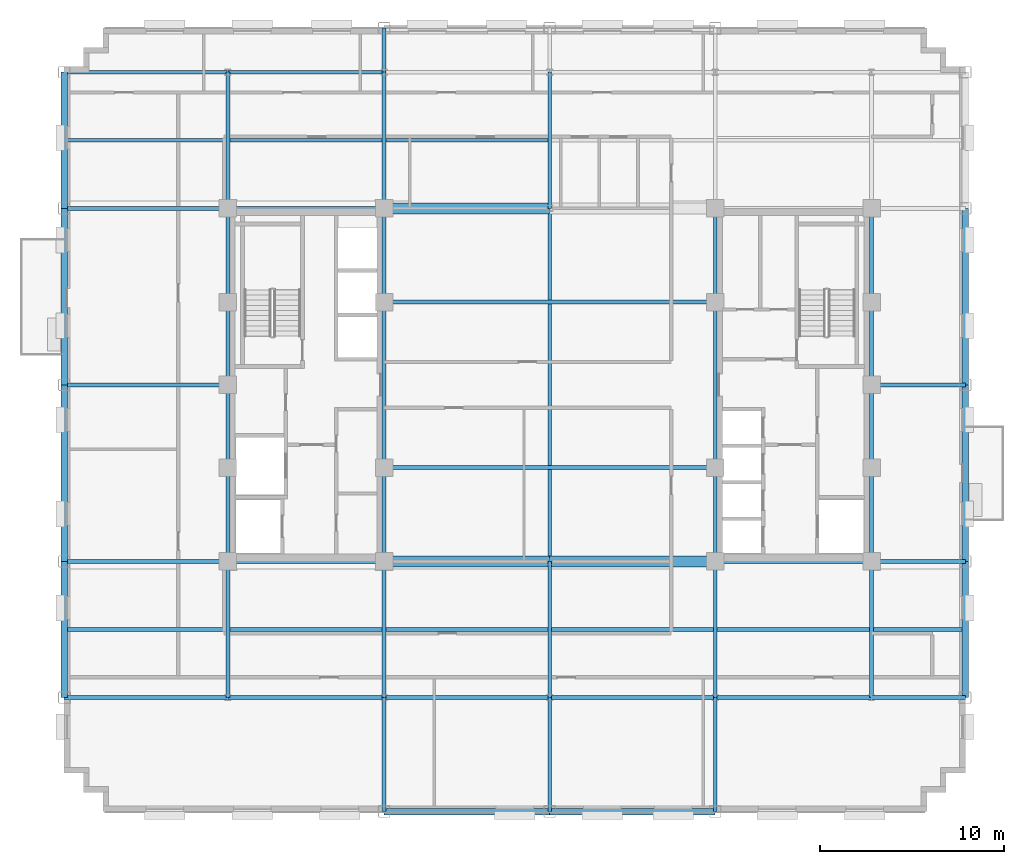
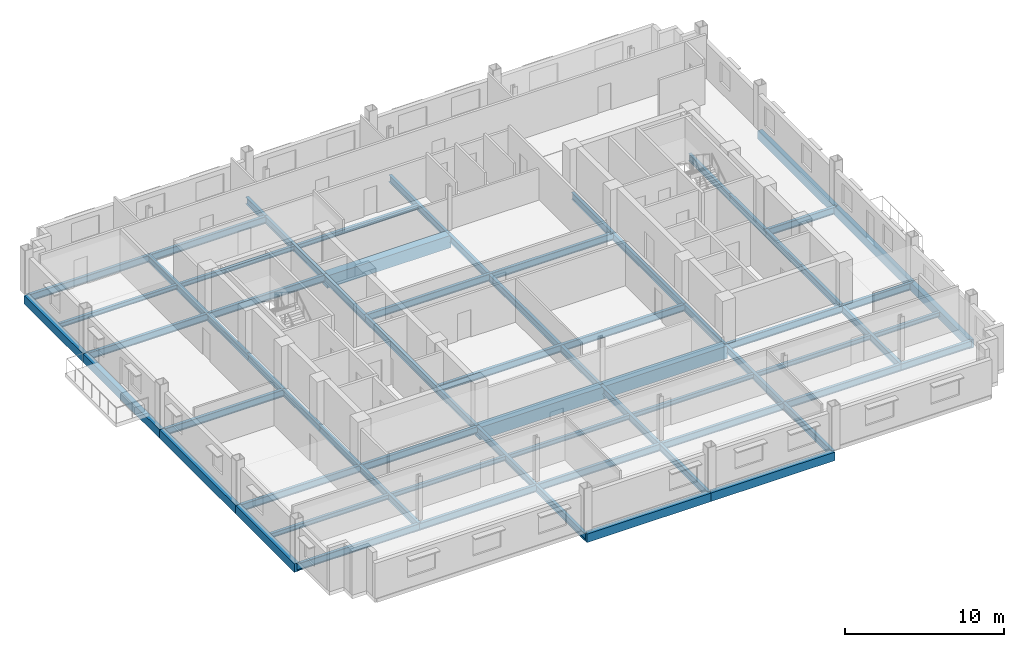
# One storey, part 5 of 14: 66 beams.
"""IFC4 building model written with IfcOpenShell, lengths in metres."""

from ifc_helpers import new_model, si_unit, direction, frame, origin, origin_2d, place, context, subcontext, project, spatial, rectangle, i_section, extrude, material, material_profile, profile_set, type_object, element, save


model = new_model("IFC4")

# Units and contexts
model_context = context("Model", 3, precision=1e-05, world=origin(), true_north=direction((0.0, 1.0)))
body_context = subcontext(model_context, "Body", "Model", "MODEL_VIEW")
ifc_project = project(units=[si_unit("LENGTHUNIT", "METRE"), si_unit("AREAUNIT", "SQUARE_METRE"), si_unit("VOLUMEUNIT", "CUBIC_METRE"), si_unit("PLANEANGLEUNIT", "RADIAN"), si_unit("MASSUNIT", "GRAM", prefix="KILO")], contexts=[model_context])

# Site, building, storey
site_placement = place(None, origin())
site = spatial("IfcSite", under=ifc_project, at=site_placement, CompositionType="ELEMENT")
building_placement = place(site_placement, origin())
building = spatial("IfcBuilding", under=site, at=building_placement, Name="Nuvemarco Arch Tower", CompositionType="ELEMENT")
storey_placement = place(building_placement, frame((0.0, 0.0, 171.300048828125)))
storey = spatial("IfcBuildingStorey", under=building, at=storey_placement, Name="L45", CompositionType="ELEMENT", Elevation=171.300048828125)

# Beams
ifc_material_1 = material(Name="Concrete C60/75", Category="concrete")
ifc_material_profile_1 = material_profile(ifc_material_1, rectangle(XDim=0.60009765625, YDim=0.949951171875, at=origin_2d()), Name="RC-BM-600x950")
ifc_profile_set_1 = profile_set([ifc_material_profile_1], Name="Concrete C60/75")
beam_type_1 = type_object("IfcBeamType", Name="BM-COUP-RC", PredefinedType="LINTEL", material=ifc_profile_set_1)
for number, where, z_axis, x_axis, name in (
    (1, (-9.0, -9.60009765625, -0.755126953125), (1.0, 0.0, 0.0), (0.0, 1.0, 0.0), "L45 structural beam BGEW_L45_0_-9.6_-9.0"),
    (2, (0.0, -9.60009765625, -0.755126953125), (1.0, 0.0, 0.0), (0.0, 1.0, 0.0), "L45 structural beam BGEW_L45_0_-9.6_+0.0"),
    (3, (-9.0, 9.60009765625, -0.755126953125), (1.0, 0.0, 0.0), (0.0, 1.0, 0.0), "L45 structural beam BGEW_L45_0_+9.6_-9.0"),
):
    element("IfcBeam", number, at=place(storey_placement, frame(where, z_axis=z_axis, x_axis=x_axis)), inside=storey, type_object=beam_type_1, Name=name, PredefinedType="LINTEL", context=body_context, shape_type="SweptSolid", body=[
        extrude(rectangle(XDim=0.60009765625, YDim=0.949951171875, at=origin_2d()), origin(), (0.0, 0.0, 1.0), 9.0),
    ])
ifc_material_2 = material(Name="Steel S355", Category="steel")
ifc_material_profile_2 = material_profile(ifc_material_2, i_section(OverallWidth=0.2109375, OverallDepth=0.5390625, WebThickness=0.01171875, FlangeThickness=0.018798828125, FilletRadius=0.01611328125, at=origin_2d()), Name="W530x109")
ifc_profile_set_2 = profile_set([ifc_material_profile_2], Name="Steel S355")
beam_type_2 = type_object("IfcBeamType", Name="BM-GIRD-530", PredefinedType="BEAM", material=ifc_profile_set_2)
beam_1_placement = place(storey_placement, frame((-17.5, -17.0, -0.549560546875), z_axis=(0.0, 1.0, 0.0), x_axis=(-1.0, 0.0, 0.0)))
element("IfcBeam", 4, at=beam_1_placement, inside=storey, type_object=beam_type_2, Name="L45 structural beam BGNS_L45_0_-17.5_-17.0", PredefinedType="BEAM", context=body_context, shape_type="SweptSolid", body=[
    extrude(i_section(OverallWidth=0.2109375, OverallDepth=0.5390625, WebThickness=0.01171875, FlangeThickness=0.018798828125, FilletRadius=0.01611328125, at=origin_2d()), origin(), (0.0, 0.0, 1.0), 7.39990234375),
])
beam_2_placement = place(storey_placement, frame((-17.5, -9.60009765625, -0.549560546875), z_axis=(0.0, 1.0, 0.0), x_axis=(-1.0, 0.0, 0.0)))
element("IfcBeam", 5, at=beam_2_placement, inside=storey, type_object=beam_type_2, Name="L45 structural beam BGNS_L45_0_-17.5_-9.6", PredefinedType="BEAM", context=body_context, shape_type="SweptSolid", body=[
    extrude(i_section(OverallWidth=0.2109375, OverallDepth=0.5390625, WebThickness=0.01171875, FlangeThickness=0.018798828125, FilletRadius=0.01611328125, at=origin_2d()), origin(), (0.0, 0.0, 1.0), 5.10009765625),
])
for number, where, z_axis, x_axis, name in (
    (6, (-17.5, -4.5, -0.549560546875), (0.0, 1.0, 0.0), (-1.0, 0.0, 0.0), "L45 structural beam BGNS_L45_0_-17.5_-4.5"),
    (7, (-17.5, 0.0, -0.549560546875), (0.0, 1.0, 0.0), (-1.0, 0.0, 0.0), "L45 structural beam BGNS_L45_0_-17.5_+0.0"),
):
    element("IfcBeam", number, at=place(storey_placement, frame(where, z_axis=z_axis, x_axis=x_axis)), inside=storey, type_object=beam_type_2, Name=name, PredefinedType="BEAM", context=body_context, shape_type="SweptSolid", body=[
        extrude(i_section(OverallWidth=0.2109375, OverallDepth=0.5390625, WebThickness=0.01171875, FlangeThickness=0.018798828125, FilletRadius=0.01611328125, at=origin_2d()), origin(), (0.0, 0.0, 1.0), 4.5),
    ])
beam_3_placement = place(storey_placement, frame((-17.5, 4.5, -0.549560546875), z_axis=(0.0, 1.0, 0.0), x_axis=(-1.0, 0.0, 0.0)))
element("IfcBeam", 8, at=beam_3_placement, inside=storey, type_object=beam_type_2, Name="L45 structural beam BGNS_L45_0_-17.5_+4.5", PredefinedType="BEAM", context=body_context, shape_type="SweptSolid", body=[
    extrude(i_section(OverallWidth=0.2109375, OverallDepth=0.5390625, WebThickness=0.01171875, FlangeThickness=0.018798828125, FilletRadius=0.01611328125, at=origin_2d()), origin(), (0.0, 0.0, 1.0), 5.10009765625),
])
beam_4_placement = place(storey_placement, frame((-17.5, 9.60009765625, -0.549560546875), z_axis=(0.0, 1.0, 0.0), x_axis=(-1.0, 0.0, 0.0)))
element("IfcBeam", 9, at=beam_4_placement, inside=storey, type_object=beam_type_2, Name="L45 structural beam BGNS_L45_0_-17.5_+9.6", PredefinedType="BEAM", context=body_context, shape_type="SweptSolid", body=[
    extrude(i_section(OverallWidth=0.2109375, OverallDepth=0.5390625, WebThickness=0.01171875, FlangeThickness=0.018798828125, FilletRadius=0.01611328125, at=origin_2d()), origin(), (0.0, 0.0, 1.0), 7.39990234375),
])
beam_5_placement = place(storey_placement, frame((-9.0, -23.199951171875, -0.549560546875), z_axis=(0.0, 1.0, 0.0), x_axis=(-1.0, 0.0, 0.0)))
element("IfcBeam", 10, at=beam_5_placement, inside=storey, type_object=beam_type_2, Name="L45 structural beam BGNS_L45_0_-9.0_-23.2", PredefinedType="BEAM", context=body_context, shape_type="SweptSolid", body=[
    extrude(i_section(OverallWidth=0.2109375, OverallDepth=0.5390625, WebThickness=0.01171875, FlangeThickness=0.018798828125, FilletRadius=0.01611328125, at=origin_2d()), origin(), (0.0, 0.0, 1.0), 6.199951171875),
])
beam_6_placement = place(storey_placement, frame((-9.0, -17.0, -0.549560546875), z_axis=(0.0, 1.0, 0.0), x_axis=(-1.0, 0.0, 0.0)))
element("IfcBeam", 11, at=beam_6_placement, inside=storey, type_object=beam_type_2, Name="L45 structural beam BGNS_L45_0_-9.0_-17.0", PredefinedType="BEAM", context=body_context, shape_type="SweptSolid", body=[
    extrude(i_section(OverallWidth=0.2109375, OverallDepth=0.5390625, WebThickness=0.01171875, FlangeThickness=0.018798828125, FilletRadius=0.01611328125, at=origin_2d()), origin(), (0.0, 0.0, 1.0), 7.39990234375),
])
beam_7_placement = place(storey_placement, frame((-9.0, -9.60009765625, -0.549560546875), z_axis=(0.0, 1.0, 0.0), x_axis=(-1.0, 0.0, 0.0)))
element("IfcBeam", 12, at=beam_7_placement, inside=storey, type_object=beam_type_2, Name="L45 structural beam BGNS_L45_0_-9.0_-9.6", PredefinedType="BEAM", context=body_context, shape_type="SweptSolid", body=[
    extrude(i_section(OverallWidth=0.2109375, OverallDepth=0.5390625, WebThickness=0.01171875, FlangeThickness=0.018798828125, FilletRadius=0.01611328125, at=origin_2d()), origin(), (0.0, 0.0, 1.0), 5.10009765625),
])
beam_8_placement = place(storey_placement, frame((-9.0, -4.5, -0.549560546875), z_axis=(0.0, 1.0, 0.0), x_axis=(-1.0, 0.0, 0.0)))
element("IfcBeam", 13, at=beam_8_placement, inside=storey, type_object=beam_type_2, Name="L45 structural beam BGNS_L45_0_-9.0_-4.5", PredefinedType="BEAM", context=body_context, shape_type="SweptSolid", body=[
    extrude(i_section(OverallWidth=0.2109375, OverallDepth=0.5390625, WebThickness=0.01171875, FlangeThickness=0.018798828125, FilletRadius=0.01611328125, at=origin_2d()), origin(), (0.0, 0.0, 1.0), 9.0),
])
beam_9_placement = place(storey_placement, frame((-9.0, 4.5, -0.549560546875), z_axis=(0.0, 1.0, 0.0), x_axis=(-1.0, 0.0, 0.0)))
element("IfcBeam", 14, at=beam_9_placement, inside=storey, type_object=beam_type_2, Name="L45 structural beam BGNS_L45_0_-9.0_+4.5", PredefinedType="BEAM", context=body_context, shape_type="SweptSolid", body=[
    extrude(i_section(OverallWidth=0.2109375, OverallDepth=0.5390625, WebThickness=0.01171875, FlangeThickness=0.018798828125, FilletRadius=0.01611328125, at=origin_2d()), origin(), (0.0, 0.0, 1.0), 5.10009765625),
])
beam_10_placement = place(storey_placement, frame((-9.0, 9.60009765625, -0.549560546875), z_axis=(0.0, 1.0, 0.0), x_axis=(-1.0, 0.0, 0.0)))
element("IfcBeam", 15, at=beam_10_placement, inside=storey, type_object=beam_type_2, Name="L45 structural beam BGNS_L45_0_-9.0_+9.6", PredefinedType="BEAM", context=body_context, shape_type="SweptSolid", body=[
    extrude(i_section(OverallWidth=0.2109375, OverallDepth=0.5390625, WebThickness=0.01171875, FlangeThickness=0.018798828125, FilletRadius=0.01611328125, at=origin_2d()), origin(), (0.0, 0.0, 1.0), 7.39990234375),
])
beam_11_placement = place(storey_placement, frame((-9.0, 17.0, -0.549560546875), z_axis=(0.0, 1.0, 0.0), x_axis=(-1.0, 0.0, 0.0)))
element("IfcBeam", 16, at=beam_11_placement, inside=storey, type_object=beam_type_2, Name="L45 structural beam BGNS_L45_0_-9.0_+17.0", PredefinedType="BEAM", context=body_context, shape_type="SweptSolid", body=[
    extrude(i_section(OverallWidth=0.2109375, OverallDepth=0.5390625, WebThickness=0.01171875, FlangeThickness=0.018798828125, FilletRadius=0.01611328125, at=origin_2d()), origin(), (0.0, 0.0, 1.0), 2.39990234375),
])
beam_12_placement = place(storey_placement, frame((0.0, -23.199951171875, -0.549560546875), z_axis=(0.0, 1.0, 0.0), x_axis=(-1.0, 0.0, 0.0)))
element("IfcBeam", 17, at=beam_12_placement, inside=storey, type_object=beam_type_2, Name="L45 structural beam BGNS_L45_0_+0.0_-23.2", PredefinedType="BEAM", context=body_context, shape_type="SweptSolid", body=[
    extrude(i_section(OverallWidth=0.2109375, OverallDepth=0.5390625, WebThickness=0.01171875, FlangeThickness=0.018798828125, FilletRadius=0.01611328125, at=origin_2d()), origin(), (0.0, 0.0, 1.0), 6.199951171875),
])
beam_13_placement = place(storey_placement, frame((0.0, -17.0, -0.549560546875), z_axis=(0.0, 1.0, 0.0), x_axis=(-1.0, 0.0, 0.0)))
element("IfcBeam", 18, at=beam_13_placement, inside=storey, type_object=beam_type_2, Name="L45 structural beam BGNS_L45_0_+0.0_-17.0", PredefinedType="BEAM", context=body_context, shape_type="SweptSolid", body=[
    extrude(i_section(OverallWidth=0.2109375, OverallDepth=0.5390625, WebThickness=0.01171875, FlangeThickness=0.018798828125, FilletRadius=0.01611328125, at=origin_2d()), origin(), (0.0, 0.0, 1.0), 7.39990234375),
])
beam_14_placement = place(storey_placement, frame((0.0, -9.60009765625, -0.549560546875), z_axis=(0.0, 1.0, 0.0), x_axis=(-1.0, 0.0, 0.0)))
element("IfcBeam", 19, at=beam_14_placement, inside=storey, type_object=beam_type_2, Name="L45 structural beam BGNS_L45_0_+0.0_-9.6", PredefinedType="BEAM", context=body_context, shape_type="SweptSolid", body=[
    extrude(i_section(OverallWidth=0.2109375, OverallDepth=0.5390625, WebThickness=0.01171875, FlangeThickness=0.018798828125, FilletRadius=0.01611328125, at=origin_2d()), origin(), (0.0, 0.0, 1.0), 19.2001953125),
])
beam_15_placement = place(storey_placement, frame((0.0, 9.60009765625, -0.549560546875), z_axis=(0.0, 1.0, 0.0), x_axis=(-1.0, 0.0, 0.0)))
element("IfcBeam", 20, at=beam_15_placement, inside=storey, type_object=beam_type_2, Name="L45 structural beam BGNS_L45_0_+0.0_+9.6", PredefinedType="BEAM", context=body_context, shape_type="SweptSolid", body=[
    extrude(i_section(OverallWidth=0.2109375, OverallDepth=0.5390625, WebThickness=0.01171875, FlangeThickness=0.018798828125, FilletRadius=0.01611328125, at=origin_2d()), origin(), (0.0, 0.0, 1.0), 7.39990234375),
])
beam_16_placement = place(storey_placement, frame((9.0, -23.199951171875, -0.549560546875), z_axis=(0.0, 1.0, 0.0), x_axis=(-1.0, 0.0, 0.0)))
element("IfcBeam", 21, at=beam_16_placement, inside=storey, type_object=beam_type_2, Name="L45 structural beam BGNS_L45_0_+9.0_-23.2", PredefinedType="BEAM", context=body_context, shape_type="SweptSolid", body=[
    extrude(i_section(OverallWidth=0.2109375, OverallDepth=0.5390625, WebThickness=0.01171875, FlangeThickness=0.018798828125, FilletRadius=0.01611328125, at=origin_2d()), origin(), (0.0, 0.0, 1.0), 6.199951171875),
])
beam_17_placement = place(storey_placement, frame((9.0, -17.0, -0.549560546875), z_axis=(0.0, 1.0, 0.0), x_axis=(-1.0, 0.0, 0.0)))
element("IfcBeam", 22, at=beam_17_placement, inside=storey, type_object=beam_type_2, Name="L45 structural beam BGNS_L45_0_+9.0_-17.0", PredefinedType="BEAM", context=body_context, shape_type="SweptSolid", body=[
    extrude(i_section(OverallWidth=0.2109375, OverallDepth=0.5390625, WebThickness=0.01171875, FlangeThickness=0.018798828125, FilletRadius=0.01611328125, at=origin_2d()), origin(), (0.0, 0.0, 1.0), 7.39990234375),
])
beam_18_placement = place(storey_placement, frame((9.0, -9.60009765625, -0.549560546875), z_axis=(0.0, 1.0, 0.0), x_axis=(-1.0, 0.0, 0.0)))
element("IfcBeam", 23, at=beam_18_placement, inside=storey, type_object=beam_type_2, Name="L45 structural beam BGNS_L45_0_+9.0_-9.6", PredefinedType="BEAM", context=body_context, shape_type="SweptSolid", body=[
    extrude(i_section(OverallWidth=0.2109375, OverallDepth=0.5390625, WebThickness=0.01171875, FlangeThickness=0.018798828125, FilletRadius=0.01611328125, at=origin_2d()), origin(), (0.0, 0.0, 1.0), 5.10009765625),
])
beam_19_placement = place(storey_placement, frame((9.0, -4.5, -0.549560546875), z_axis=(0.0, 1.0, 0.0), x_axis=(-1.0, 0.0, 0.0)))
element("IfcBeam", 24, at=beam_19_placement, inside=storey, type_object=beam_type_2, Name="L45 structural beam BGNS_L45_0_+9.0_-4.5", PredefinedType="BEAM", context=body_context, shape_type="SweptSolid", body=[
    extrude(i_section(OverallWidth=0.2109375, OverallDepth=0.5390625, WebThickness=0.01171875, FlangeThickness=0.018798828125, FilletRadius=0.01611328125, at=origin_2d()), origin(), (0.0, 0.0, 1.0), 9.0),
])
beam_20_placement = place(storey_placement, frame((9.0, 4.5, -0.549560546875), z_axis=(0.0, 1.0, 0.0), x_axis=(-1.0, 0.0, 0.0)))
element("IfcBeam", 25, at=beam_20_placement, inside=storey, type_object=beam_type_2, Name="L45 structural beam BGNS_L45_0_+9.0_+4.5", PredefinedType="BEAM", context=body_context, shape_type="SweptSolid", body=[
    extrude(i_section(OverallWidth=0.2109375, OverallDepth=0.5390625, WebThickness=0.01171875, FlangeThickness=0.018798828125, FilletRadius=0.01611328125, at=origin_2d()), origin(), (0.0, 0.0, 1.0), 5.10009765625),
])
beam_21_placement = place(storey_placement, frame((17.5, -17.0, -0.549560546875), z_axis=(0.0, 1.0, 0.0), x_axis=(-1.0, 0.0, 0.0)))
element("IfcBeam", 26, at=beam_21_placement, inside=storey, type_object=beam_type_2, Name="L45 structural beam BGNS_L45_0_+17.5_-17.0", PredefinedType="BEAM", context=body_context, shape_type="SweptSolid", body=[
    extrude(i_section(OverallWidth=0.2109375, OverallDepth=0.5390625, WebThickness=0.01171875, FlangeThickness=0.018798828125, FilletRadius=0.01611328125, at=origin_2d()), origin(), (0.0, 0.0, 1.0), 7.39990234375),
])
beam_22_placement = place(storey_placement, frame((17.5, -9.60009765625, -0.549560546875), z_axis=(0.0, 1.0, 0.0), x_axis=(-1.0, 0.0, 0.0)))
element("IfcBeam", 27, at=beam_22_placement, inside=storey, type_object=beam_type_2, Name="L45 structural beam BGNS_L45_0_+17.5_-9.6", PredefinedType="BEAM", context=body_context, shape_type="SweptSolid", body=[
    extrude(i_section(OverallWidth=0.2109375, OverallDepth=0.5390625, WebThickness=0.01171875, FlangeThickness=0.018798828125, FilletRadius=0.01611328125, at=origin_2d()), origin(), (0.0, 0.0, 1.0), 5.10009765625),
])
for number, where, z_axis, x_axis, name in (
    (28, (17.5, -4.5, -0.549560546875), (0.0, 1.0, 0.0), (-1.0, 0.0, 0.0), "L45 structural beam BGNS_L45_0_+17.5_-4.5"),
    (29, (17.5, 0.0, -0.549560546875), (0.0, 1.0, 0.0), (-1.0, 0.0, 0.0), "L45 structural beam BGNS_L45_0_+17.5_+0.0"),
):
    element("IfcBeam", number, at=place(storey_placement, frame(where, z_axis=z_axis, x_axis=x_axis)), inside=storey, type_object=beam_type_2, Name=name, PredefinedType="BEAM", context=body_context, shape_type="SweptSolid", body=[
        extrude(i_section(OverallWidth=0.2109375, OverallDepth=0.5390625, WebThickness=0.01171875, FlangeThickness=0.018798828125, FilletRadius=0.01611328125, at=origin_2d()), origin(), (0.0, 0.0, 1.0), 4.5),
    ])
beam_23_placement = place(storey_placement, frame((17.5, 4.5, -0.549560546875), z_axis=(0.0, 1.0, 0.0), x_axis=(-1.0, 0.0, 0.0)))
element("IfcBeam", 30, at=beam_23_placement, inside=storey, type_object=beam_type_2, Name="L45 structural beam BGNS_L45_0_+17.5_+4.5", PredefinedType="BEAM", context=body_context, shape_type="SweptSolid", body=[
    extrude(i_section(OverallWidth=0.2109375, OverallDepth=0.5390625, WebThickness=0.01171875, FlangeThickness=0.018798828125, FilletRadius=0.01611328125, at=origin_2d()), origin(), (0.0, 0.0, 1.0), 5.10009765625),
])
beam_24_placement = place(storey_placement, frame((-26.39990234375, -17.0, -0.549560546875), z_axis=(1.0, 0.0, 0.0), x_axis=(0.0, 1.0, 0.0)))
element("IfcBeam", 31, at=beam_24_placement, inside=storey, type_object=beam_type_2, Name="L45 structural beam BGEW_L45_0_-17.0_-26.4", PredefinedType="BEAM", context=body_context, shape_type="SweptSolid", body=[
    extrude(i_section(OverallWidth=0.2109375, OverallDepth=0.5390625, WebThickness=0.01171875, FlangeThickness=0.018798828125, FilletRadius=0.01611328125, at=origin_2d()), origin(), (0.0, 0.0, 1.0), 8.89990234375),
])
beam_25_placement = place(storey_placement, frame((-17.5, -17.0, -0.549560546875), z_axis=(1.0, 0.0, 0.0), x_axis=(0.0, 1.0, 0.0)))
element("IfcBeam", 32, at=beam_25_placement, inside=storey, type_object=beam_type_2, Name="L45 structural beam BGEW_L45_0_-17.0_-17.5", PredefinedType="BEAM", context=body_context, shape_type="SweptSolid", body=[
    extrude(i_section(OverallWidth=0.2109375, OverallDepth=0.5390625, WebThickness=0.01171875, FlangeThickness=0.018798828125, FilletRadius=0.01611328125, at=origin_2d()), origin(), (0.0, 0.0, 1.0), 8.5),
])
for number, where, z_axis, x_axis, name in (
    (33, (-9.0, -17.0, -0.549560546875), (1.0, 0.0, 0.0), (0.0, 1.0, 0.0), "L45 structural beam BGEW_L45_0_-17.0_-9.0"),
    (34, (0.0, -17.0, -0.549560546875), (1.0, 0.0, 0.0), (0.0, 1.0, 0.0), "L45 structural beam BGEW_L45_0_-17.0_+0.0"),
):
    element("IfcBeam", number, at=place(storey_placement, frame(where, z_axis=z_axis, x_axis=x_axis)), inside=storey, type_object=beam_type_2, Name=name, PredefinedType="BEAM", context=body_context, shape_type="SweptSolid", body=[
        extrude(i_section(OverallWidth=0.2109375, OverallDepth=0.5390625, WebThickness=0.01171875, FlangeThickness=0.018798828125, FilletRadius=0.01611328125, at=origin_2d()), origin(), (0.0, 0.0, 1.0), 9.0),
    ])
beam_26_placement = place(storey_placement, frame((9.0, -17.0, -0.549560546875), z_axis=(1.0, 0.0, 0.0), x_axis=(0.0, 1.0, 0.0)))
element("IfcBeam", 35, at=beam_26_placement, inside=storey, type_object=beam_type_2, Name="L45 structural beam BGEW_L45_0_-17.0_+9.0", PredefinedType="BEAM", context=body_context, shape_type="SweptSolid", body=[
    extrude(i_section(OverallWidth=0.2109375, OverallDepth=0.5390625, WebThickness=0.01171875, FlangeThickness=0.018798828125, FilletRadius=0.01611328125, at=origin_2d()), origin(), (0.0, 0.0, 1.0), 8.5),
])
beam_27_placement = place(storey_placement, frame((17.5, -17.0, -0.549560546875), z_axis=(1.0, 0.0, 0.0), x_axis=(0.0, 1.0, 0.0)))
element("IfcBeam", 36, at=beam_27_placement, inside=storey, type_object=beam_type_2, Name="L45 structural beam BGEW_L45_0_-17.0_+17.5", PredefinedType="BEAM", context=body_context, shape_type="SweptSolid", body=[
    extrude(i_section(OverallWidth=0.2109375, OverallDepth=0.5390625, WebThickness=0.01171875, FlangeThickness=0.018798828125, FilletRadius=0.01611328125, at=origin_2d()), origin(), (0.0, 0.0, 1.0), 5.10009765625),
])
beam_28_placement = place(storey_placement, frame((-26.39990234375, -9.60009765625, -0.549560546875), z_axis=(1.0, 0.0, 0.0), x_axis=(0.0, 1.0, 0.0)))
element("IfcBeam", 37, at=beam_28_placement, inside=storey, type_object=beam_type_2, Name="L45 structural beam BGEW_L45_0_-9.6_-26.4", PredefinedType="BEAM", context=body_context, shape_type="SweptSolid", body=[
    extrude(i_section(OverallWidth=0.2109375, OverallDepth=0.5390625, WebThickness=0.01171875, FlangeThickness=0.018798828125, FilletRadius=0.01611328125, at=origin_2d()), origin(), (0.0, 0.0, 1.0), 8.89990234375),
])
for number, where, z_axis, x_axis, name in (
    (38, (-17.5, -9.60009765625, -0.549560546875), (1.0, 0.0, 0.0), (0.0, 1.0, 0.0), "L45 structural beam BGEW_L45_0_-9.6_-17.5"),
    (39, (9.0, -9.60009765625, -0.549560546875), (1.0, 0.0, 0.0), (0.0, 1.0, 0.0), "L45 structural beam BGEW_L45_0_-9.6_+9.0"),
):
    element("IfcBeam", number, at=place(storey_placement, frame(where, z_axis=z_axis, x_axis=x_axis)), inside=storey, type_object=beam_type_2, Name=name, PredefinedType="BEAM", context=body_context, shape_type="SweptSolid", body=[
        extrude(i_section(OverallWidth=0.2109375, OverallDepth=0.5390625, WebThickness=0.01171875, FlangeThickness=0.018798828125, FilletRadius=0.01611328125, at=origin_2d()), origin(), (0.0, 0.0, 1.0), 8.5),
    ])
beam_29_placement = place(storey_placement, frame((17.5, -9.60009765625, -0.549560546875), z_axis=(1.0, 0.0, 0.0), x_axis=(0.0, 1.0, 0.0)))
element("IfcBeam", 40, at=beam_29_placement, inside=storey, type_object=beam_type_2, Name="L45 structural beam BGEW_L45_0_-9.6_+17.5", PredefinedType="BEAM", context=body_context, shape_type="SweptSolid", body=[
    extrude(i_section(OverallWidth=0.2109375, OverallDepth=0.5390625, WebThickness=0.01171875, FlangeThickness=0.018798828125, FilletRadius=0.01611328125, at=origin_2d()), origin(), (0.0, 0.0, 1.0), 5.10009765625),
])
beam_30_placement = place(storey_placement, frame((-9.0, -4.5, -0.549560546875), z_axis=(1.0, 0.0, 0.0), x_axis=(0.0, 1.0, 0.0)))
element("IfcBeam", 41, at=beam_30_placement, inside=storey, type_object=beam_type_2, Name="L45 structural beam BGEW_L45_0_-4.5_-9.0", PredefinedType="BEAM", context=body_context, shape_type="SweptSolid", body=[
    extrude(i_section(OverallWidth=0.2109375, OverallDepth=0.5390625, WebThickness=0.01171875, FlangeThickness=0.018798828125, FilletRadius=0.01611328125, at=origin_2d()), origin(), (0.0, 0.0, 1.0), 18.0),
])
beam_31_placement = place(storey_placement, frame((-26.39990234375, 0.0, -0.549560546875), z_axis=(1.0, 0.0, 0.0), x_axis=(0.0, 1.0, 0.0)))
element("IfcBeam", 42, at=beam_31_placement, inside=storey, type_object=beam_type_2, Name="L45 structural beam BGEW_L45_0_+0.0_-26.4", PredefinedType="BEAM", context=body_context, shape_type="SweptSolid", body=[
    extrude(i_section(OverallWidth=0.2109375, OverallDepth=0.5390625, WebThickness=0.01171875, FlangeThickness=0.018798828125, FilletRadius=0.01611328125, at=origin_2d()), origin(), (0.0, 0.0, 1.0), 8.89990234375),
])
beam_32_placement = place(storey_placement, frame((17.5, 0.0, -0.549560546875), z_axis=(1.0, 0.0, 0.0), x_axis=(0.0, 1.0, 0.0)))
element("IfcBeam", 43, at=beam_32_placement, inside=storey, type_object=beam_type_2, Name="L45 structural beam BGEW_L45_0_+0.0_+17.5", PredefinedType="BEAM", context=body_context, shape_type="SweptSolid", body=[
    extrude(i_section(OverallWidth=0.2109375, OverallDepth=0.5390625, WebThickness=0.01171875, FlangeThickness=0.018798828125, FilletRadius=0.01611328125, at=origin_2d()), origin(), (0.0, 0.0, 1.0), 5.10009765625),
])
beam_33_placement = place(storey_placement, frame((-9.0, 4.5, -0.549560546875), z_axis=(1.0, 0.0, 0.0), x_axis=(0.0, 1.0, 0.0)))
element("IfcBeam", 44, at=beam_33_placement, inside=storey, type_object=beam_type_2, Name="L45 structural beam BGEW_L45_0_+4.5_-9.0", PredefinedType="BEAM", context=body_context, shape_type="SweptSolid", body=[
    extrude(i_section(OverallWidth=0.2109375, OverallDepth=0.5390625, WebThickness=0.01171875, FlangeThickness=0.018798828125, FilletRadius=0.01611328125, at=origin_2d()), origin(), (0.0, 0.0, 1.0), 18.0),
])
beam_34_placement = place(storey_placement, frame((-26.39990234375, 9.60009765625, -0.549560546875), z_axis=(1.0, 0.0, 0.0), x_axis=(0.0, 1.0, 0.0)))
element("IfcBeam", 45, at=beam_34_placement, inside=storey, type_object=beam_type_2, Name="L45 structural beam BGEW_L45_0_+9.6_-26.4", PredefinedType="BEAM", context=body_context, shape_type="SweptSolid", body=[
    extrude(i_section(OverallWidth=0.2109375, OverallDepth=0.5390625, WebThickness=0.01171875, FlangeThickness=0.018798828125, FilletRadius=0.01611328125, at=origin_2d()), origin(), (0.0, 0.0, 1.0), 8.89990234375),
])
beam_35_placement = place(storey_placement, frame((-17.5, 9.60009765625, -0.549560546875), z_axis=(1.0, 0.0, 0.0), x_axis=(0.0, 1.0, 0.0)))
element("IfcBeam", 46, at=beam_35_placement, inside=storey, type_object=beam_type_2, Name="L45 structural beam BGEW_L45_0_+9.6_-17.5", PredefinedType="BEAM", context=body_context, shape_type="SweptSolid", body=[
    extrude(i_section(OverallWidth=0.2109375, OverallDepth=0.5390625, WebThickness=0.01171875, FlangeThickness=0.018798828125, FilletRadius=0.01611328125, at=origin_2d()), origin(), (0.0, 0.0, 1.0), 8.5),
])
beam_36_placement = place(storey_placement, frame((-26.39990234375, 17.0, -0.549560546875), z_axis=(1.0, 0.0, 0.0), x_axis=(0.0, 1.0, 0.0)))
element("IfcBeam", 47, at=beam_36_placement, inside=storey, type_object=beam_type_2, Name="L45 structural beam BGEW_L45_0_+17.0_-26.4", PredefinedType="BEAM", context=body_context, shape_type="SweptSolid", body=[
    extrude(i_section(OverallWidth=0.2109375, OverallDepth=0.5390625, WebThickness=0.01171875, FlangeThickness=0.018798828125, FilletRadius=0.01611328125, at=origin_2d()), origin(), (0.0, 0.0, 1.0), 8.89990234375),
])
beam_37_placement = place(storey_placement, frame((-17.5, 17.0, -0.549560546875), z_axis=(1.0, 0.0, 0.0), x_axis=(0.0, 1.0, 0.0)))
element("IfcBeam", 48, at=beam_37_placement, inside=storey, type_object=beam_type_2, Name="L45 structural beam BGEW_L45_0_+17.0_-17.5", PredefinedType="BEAM", context=body_context, shape_type="SweptSolid", body=[
    extrude(i_section(OverallWidth=0.2109375, OverallDepth=0.5390625, WebThickness=0.01171875, FlangeThickness=0.018798828125, FilletRadius=0.01611328125, at=origin_2d()), origin(), (0.0, 0.0, 1.0), 8.5),
])
ifc_material_profile_3 = material_profile(ifc_material_2, i_section(OverallWidth=0.202880859375, OverallDepth=0.346923828125, WebThickness=0.0078125, FlangeThickness=0.013427734375, FilletRadius=0.014892578125, at=origin_2d()), Name="W360x64")
ifc_profile_set_3 = profile_set([ifc_material_profile_3], Name="Steel S355")
beam_type_3 = type_object("IfcBeamType", Name="BM-JOIST-360", PredefinedType="JOIST", material=ifc_profile_set_3)
beam_38_placement = place(storey_placement, frame((-26.22509765625, -13.300048828125, -0.45361328125), z_axis=(1.0, 0.0, 0.0), x_axis=(0.0, 1.0, 0.0)))
element("IfcBeam", 49, at=beam_38_placement, inside=storey, type_object=beam_type_3, Name="L45 structural beam BJ_L45_0_-13.3_-26.4", PredefinedType="JOIST", context=body_context, shape_type="SweptSolid", body=[
    extrude(i_section(OverallWidth=0.202880859375, OverallDepth=0.346923828125, WebThickness=0.0078125, FlangeThickness=0.013427734375, FilletRadius=0.014892578125, at=origin_2d()), origin(), (0.0, 0.0, 1.0), 8.61962890625),
])
beam_39_placement = place(storey_placement, frame((-17.39453125, -13.300048828125, -0.45361328125), z_axis=(1.0, 0.0, 0.0), x_axis=(0.0, 1.0, 0.0)))
element("IfcBeam", 50, at=beam_39_placement, inside=storey, type_object=beam_type_3, Name="L45 structural beam BJ_L45_0_-13.3_-17.5", PredefinedType="JOIST", context=body_context, shape_type="SweptSolid", body=[
    extrude(i_section(OverallWidth=0.202880859375, OverallDepth=0.346923828125, WebThickness=0.0078125, FlangeThickness=0.013427734375, FilletRadius=0.014892578125, at=origin_2d()), origin(), (0.0, 0.0, 1.0), 8.2890625),
])
for number, where, z_axis, x_axis, name in (
    (51, (-8.89453125, -13.300048828125, -0.45361328125), (1.0, 0.0, 0.0), (0.0, 1.0, 0.0), "L45 structural beam BJ_L45_0_-13.3_-9.0"),
    (52, (0.10546875, -13.300048828125, -0.45361328125), (1.0, 0.0, 0.0), (0.0, 1.0, 0.0), "L45 structural beam BJ_L45_0_-13.3_+0.0"),
):
    element("IfcBeam", number, at=place(storey_placement, frame(where, z_axis=z_axis, x_axis=x_axis)), inside=storey, type_object=beam_type_3, Name=name, PredefinedType="JOIST", context=body_context, shape_type="SweptSolid", body=[
        extrude(i_section(OverallWidth=0.202880859375, OverallDepth=0.346923828125, WebThickness=0.0078125, FlangeThickness=0.013427734375, FilletRadius=0.014892578125, at=origin_2d()), origin(), (0.0, 0.0, 1.0), 8.7890625),
    ])
beam_40_placement = place(storey_placement, frame((9.10546875, -13.300048828125, -0.45361328125), z_axis=(1.0, 0.0, 0.0), x_axis=(0.0, 1.0, 0.0)))
element("IfcBeam", 53, at=beam_40_placement, inside=storey, type_object=beam_type_3, Name="L45 structural beam BJ_L45_0_-13.3_+9.0", PredefinedType="JOIST", context=body_context, shape_type="SweptSolid", body=[
    extrude(i_section(OverallWidth=0.202880859375, OverallDepth=0.346923828125, WebThickness=0.0078125, FlangeThickness=0.013427734375, FilletRadius=0.014892578125, at=origin_2d()), origin(), (0.0, 0.0, 1.0), 8.2890625),
])
beam_41_placement = place(storey_placement, frame((17.60546875, -13.300048828125, -0.45361328125), z_axis=(1.0, 0.0, 0.0), x_axis=(0.0, 1.0, 0.0)))
element("IfcBeam", 54, at=beam_41_placement, inside=storey, type_object=beam_type_3, Name="L45 structural beam BJ_L45_0_-13.3_+17.5", PredefinedType="JOIST", context=body_context, shape_type="SweptSolid", body=[
    extrude(i_section(OverallWidth=0.202880859375, OverallDepth=0.346923828125, WebThickness=0.0078125, FlangeThickness=0.013427734375, FilletRadius=0.014892578125, at=origin_2d()), origin(), (0.0, 0.0, 1.0), 4.819580078125),
])
beam_42_placement = place(storey_placement, frame((-26.22509765625, 13.300048828125, -0.45361328125), z_axis=(1.0, 0.0, 0.0), x_axis=(0.0, 1.0, 0.0)))
element("IfcBeam", 55, at=beam_42_placement, inside=storey, type_object=beam_type_3, Name="L45 structural beam BJ_L45_0_+13.3_-26.4", PredefinedType="JOIST", context=body_context, shape_type="SweptSolid", body=[
    extrude(i_section(OverallWidth=0.202880859375, OverallDepth=0.346923828125, WebThickness=0.0078125, FlangeThickness=0.013427734375, FilletRadius=0.014892578125, at=origin_2d()), origin(), (0.0, 0.0, 1.0), 8.61962890625),
])
beam_43_placement = place(storey_placement, frame((-17.39453125, 13.300048828125, -0.45361328125), z_axis=(1.0, 0.0, 0.0), x_axis=(0.0, 1.0, 0.0)))
element("IfcBeam", 56, at=beam_43_placement, inside=storey, type_object=beam_type_3, Name="L45 structural beam BJ_L45_0_+13.3_-17.5", PredefinedType="JOIST", context=body_context, shape_type="SweptSolid", body=[
    extrude(i_section(OverallWidth=0.202880859375, OverallDepth=0.346923828125, WebThickness=0.0078125, FlangeThickness=0.013427734375, FilletRadius=0.014892578125, at=origin_2d()), origin(), (0.0, 0.0, 1.0), 8.2890625),
])
beam_44_placement = place(storey_placement, frame((-8.89453125, 13.300048828125, -0.45361328125), z_axis=(1.0, 0.0, 0.0), x_axis=(0.0, 1.0, 0.0)))
element("IfcBeam", 57, at=beam_44_placement, inside=storey, type_object=beam_type_3, Name="L45 structural beam BJ_L45_0_+13.3_-9.0", PredefinedType="JOIST", context=body_context, shape_type="SweptSolid", body=[
    extrude(i_section(OverallWidth=0.202880859375, OverallDepth=0.346923828125, WebThickness=0.0078125, FlangeThickness=0.013427734375, FilletRadius=0.014892578125, at=origin_2d()), origin(), (0.0, 0.0, 1.0), 8.7890625),
])
ifc_material_3 = material(Name="Precast concrete C45/55", Category="concrete")
ifc_material_profile_4 = material_profile(ifc_material_3, rectangle(XDim=0.35009765625, YDim=0.64990234375, at=origin_2d()), Name="PC-SP-350x650")
ifc_profile_set_4 = profile_set([ifc_material_profile_4], Name="Precast concrete C45/55")
beam_type_4 = type_object("IfcBeamType", Name="BM-SPAN-RC", PredefinedType="SPANDREL", material=ifc_profile_set_4)
beam_45_placement = place(storey_placement, frame((-26.39990234375, -17.0, -0.60498046875), z_axis=(0.0, 1.0, 0.0), x_axis=(-1.0, 0.0, 0.0)))
element("IfcBeam", 58, at=beam_45_placement, inside=storey, type_object=beam_type_4, Name="L45 structural beam BGNS_L45_0_-26.4_-17.0", PredefinedType="SPANDREL", context=body_context, shape_type="SweptSolid", body=[
    extrude(rectangle(XDim=0.35009765625, YDim=0.64990234375, at=origin_2d()), origin(), (0.0, 0.0, 1.0), 7.39990234375),
])
for number, where, z_axis, x_axis, name in (
    (59, (-26.39990234375, -9.60009765625, -0.60498046875), (0.0, 1.0, 0.0), (-1.0, 0.0, 0.0), "L45 structural beam BGNS_L45_0_-26.4_-9.6"),
    (60, (-26.39990234375, 0.0, -0.60498046875), (0.0, 1.0, 0.0), (-1.0, 0.0, 0.0), "L45 structural beam BGNS_L45_0_-26.4_+0.0"),
):
    element("IfcBeam", number, at=place(storey_placement, frame(where, z_axis=z_axis, x_axis=x_axis)), inside=storey, type_object=beam_type_4, Name=name, PredefinedType="SPANDREL", context=body_context, shape_type="SweptSolid", body=[
        extrude(rectangle(XDim=0.35009765625, YDim=0.64990234375, at=origin_2d()), origin(), (0.0, 0.0, 1.0), 9.60009765625),
    ])
for number, where, z_axis, x_axis, name in (
    (61, (-26.39990234375, 9.60009765625, -0.60498046875), (0.0, 1.0, 0.0), (-1.0, 0.0, 0.0), "L45 structural beam BGNS_L45_0_-26.4_+9.6"),
    (62, (22.60009765625, -17.0, -0.60498046875), (0.0, 1.0, 0.0), (-1.0, 0.0, 0.0), "L45 structural beam BGNS_L45_0_+22.6_-17.0"),
):
    element("IfcBeam", number, at=place(storey_placement, frame(where, z_axis=z_axis, x_axis=x_axis)), inside=storey, type_object=beam_type_4, Name=name, PredefinedType="SPANDREL", context=body_context, shape_type="SweptSolid", body=[
        extrude(rectangle(XDim=0.35009765625, YDim=0.64990234375, at=origin_2d()), origin(), (0.0, 0.0, 1.0), 7.39990234375),
    ])
for number, where, z_axis, x_axis, name in (
    (63, (22.60009765625, -9.60009765625, -0.60498046875), (0.0, 1.0, 0.0), (-1.0, 0.0, 0.0), "L45 structural beam BGNS_L45_0_+22.6_-9.6"),
    (64, (22.60009765625, 0.0, -0.60498046875), (0.0, 1.0, 0.0), (-1.0, 0.0, 0.0), "L45 structural beam BGNS_L45_0_+22.6_+0.0"),
):
    element("IfcBeam", number, at=place(storey_placement, frame(where, z_axis=z_axis, x_axis=x_axis)), inside=storey, type_object=beam_type_4, Name=name, PredefinedType="SPANDREL", context=body_context, shape_type="SweptSolid", body=[
        extrude(rectangle(XDim=0.35009765625, YDim=0.64990234375, at=origin_2d()), origin(), (0.0, 0.0, 1.0), 9.60009765625),
    ])
for number, where, z_axis, x_axis, name in (
    (65, (-9.0, -23.199951171875, -0.60498046875), (1.0, 0.0, 0.0), (0.0, 1.0, 0.0), "L45 structural beam BGEW_L45_0_-23.2_-9.0"),
    (66, (0.0, -23.199951171875, -0.60498046875), (1.0, 0.0, 0.0), (0.0, 1.0, 0.0), "L45 structural beam BGEW_L45_0_-23.2_+0.0"),
):
    element("IfcBeam", number, at=place(storey_placement, frame(where, z_axis=z_axis, x_axis=x_axis)), inside=storey, type_object=beam_type_4, Name=name, PredefinedType="SPANDREL", context=body_context, shape_type="SweptSolid", body=[
        extrude(rectangle(XDim=0.35009765625, YDim=0.64990234375, at=origin_2d()), origin(), (0.0, 0.0, 1.0), 9.0),
    ])

save(model, "model.ifc")
